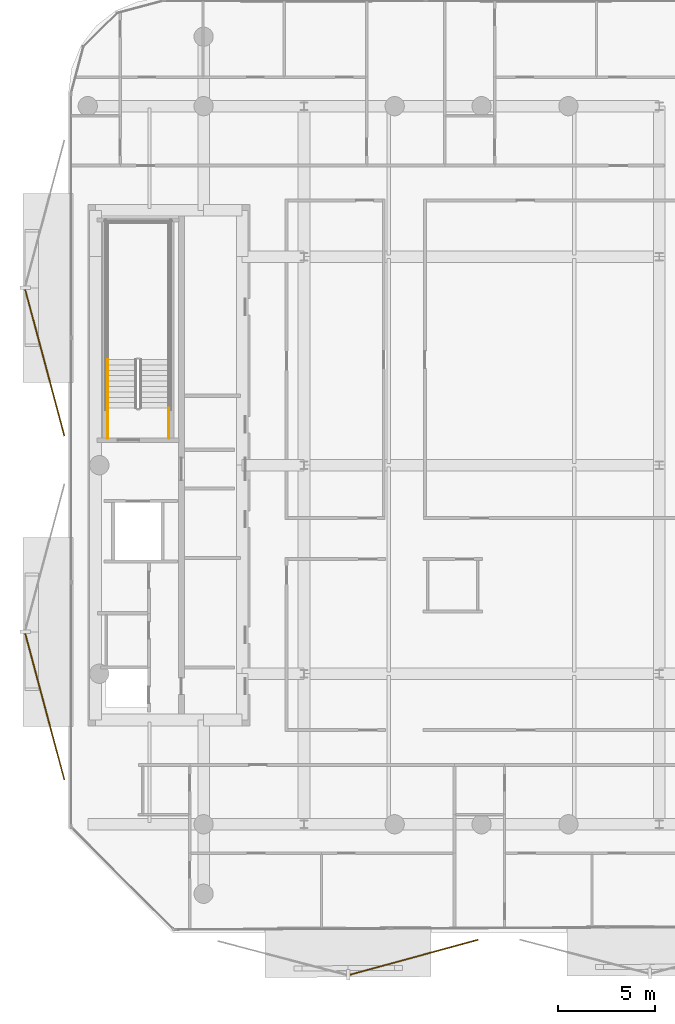
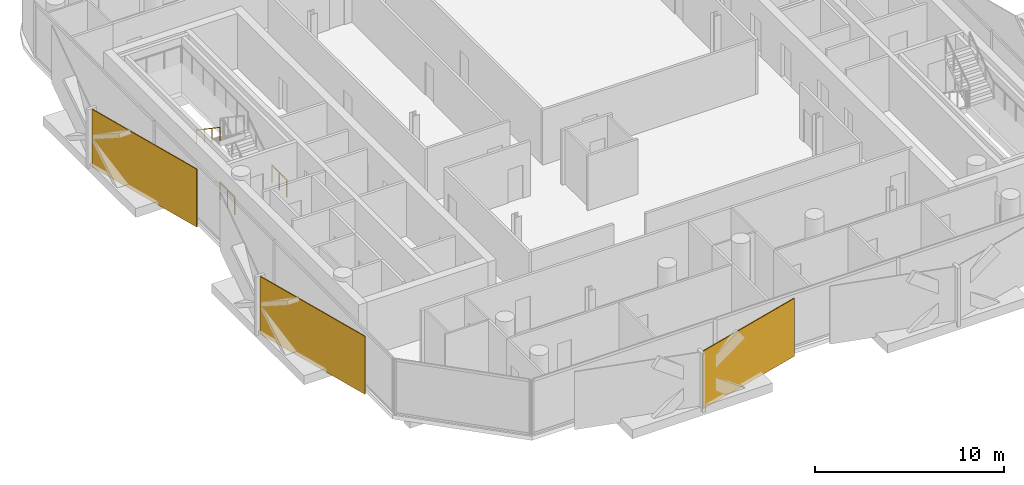
# One storey, part 13 of 16: 3 coverings, 3 railings.
"""IFC4 building model written with IfcOpenShell, lengths in metres."""

import ifcopenshell
import ifcopenshell.guid

model = None  # the IFC model being written
_history = None  # IfcOwnerHistory: only IFC2X3 demands one
_inside = {}  # id of a spatial element -> (the spatial element, [elements in it])
_under = {}  # id of a project, library or spatial element -> (it, [spatial elements below it])
_declared = {}  # id of a project -> (the project, [libraries it declares])
_typed = {}  # id of a type object -> (the type object, [elements of that type])
_made_of = {}  # id of a material, layer set ... -> (it, [elements and type objects made of it])


def new_model(schema):
    """Start an empty IFC model of exactly this schema.

    Asked for "IFC4X3", IfcOpenShell would pick the latest addendum, in which some entities
    have other attributes; the version numbers below select the first issue.
    IFC2X3 requires an IfcOwnerHistory on every rooted entity: one is made here for all.
    """
    global model, _history
    if schema == "IFC4X3":
        model = ifcopenshell.file(schema_version=(4, 3, 0, 0))
    else:
        model = ifcopenshell.file(schema=schema)
    _inside.clear()
    _under.clear()
    _declared.clear()
    _typed.clear()
    _made_of.clear()
    _history = None
    if model.schema == "IFC2X3":
        org = make("IfcOrganization", Name="unknown")
        user = make(
            "IfcPersonAndOrganization",
            ThePerson=make("IfcPerson", FamilyName="unknown"),
            TheOrganization=org,
        )
        app = make(
            "IfcApplication",
            ApplicationDeveloper=org,
            Version="unknown",
            ApplicationFullName="unknown",
            ApplicationIdentifier="unknown",
        )
        _history = make(
            "IfcOwnerHistory",
            OwningUser=user,
            OwningApplication=app,
            ChangeAction="ADDED",
            CreationDate=0,
        )
    return model


def make(cls, **values):
    """One entity of the class cls with the attributes given. An attribute that is None is left unset."""
    return model.create_entity(
        cls, **{name: value for name, value in values.items() if value is not None}
    )


def rooted(cls, **values):
    """An entity with a GlobalId (a new one), such as an element, a storey or a relation."""
    return make(cls, GlobalId=ifcopenshell.guid.new(), OwnerHistory=_history, **values)


def si_unit(unit_type, name, prefix=None):
    """IfcSIUnit, for example si_unit("LENGTHUNIT", "METRE", prefix="MILLI")."""
    return make("IfcSIUnit", UnitType=unit_type, Prefix=prefix, Name=name)


def assignment(units):
    """IfcUnitAssignment: the units of a project."""
    return None if units is None else make("IfcUnitAssignment", Units=units)


def point(xyz):
    """IfcCartesianPoint."""
    return None if xyz is None else make("IfcCartesianPoint", Coordinates=xyz)


def direction(xyz):
    """IfcDirection."""
    return None if xyz is None else make("IfcDirection", DirectionRatios=xyz)


def frame(location, z_axis=None, x_axis=None):
    """IfcAxis2Placement3D, a coordinate frame: its origin and axes. An axis left out is left unset."""
    return make(
        "IfcAxis2Placement3D",
        Location=point(location),
        Axis=direction(z_axis),
        RefDirection=direction(x_axis),
    )


def frame_2d(location, x_axis=None):
    """IfcAxis2Placement2D, a coordinate frame in the plane: its origin and x axis."""
    return make(
        "IfcAxis2Placement2D", Location=point(location), RefDirection=direction(x_axis)
    )


def origin():
    """The frame at (0, 0, 0) with its axes left unset."""
    return frame((0.0, 0.0, 0.0))


def origin_2d():
    """The frame at (0, 0) in the plane with its x axis left unset."""
    return frame_2d((0.0, 0.0))


def place(relative_to, where):
    """IfcLocalPlacement: puts the frame where relative to a parent placement (None: the world)."""
    return make(
        "IfcLocalPlacement", PlacementRelTo=relative_to, RelativePlacement=where
    )


def context(
    kind, dimensions, precision=None, world=None, true_north=None, identifier=None
):
    """IfcGeometricRepresentationContext, for example the 3D "Model" context."""
    return make(
        "IfcGeometricRepresentationContext",
        ContextIdentifier=identifier,
        ContextType=kind,
        CoordinateSpaceDimension=dimensions,
        Precision=precision,
        WorldCoordinateSystem=world,
        TrueNorth=true_north,
    )


def subcontext(parent, identifier, kind, view, scale=None):
    """IfcGeometricRepresentationSubContext, for example "Body" below "Model"."""
    return make(
        "IfcGeometricRepresentationSubContext",
        ContextIdentifier=identifier,
        ContextType=kind,
        ParentContext=parent,
        TargetScale=scale,
        TargetView=view,
    )


def project(units=None, contexts=None):
    """IfcProject with its units and contexts."""
    return rooted(
        "IfcProject",
        Name="project",
        RepresentationContexts=contexts,
        UnitsInContext=assignment(units),
    )


def spatial(cls, under=None, at=None, **own):
    """A site, building, storey or space (cls), placed at a placement, below another one or the project."""
    s = rooted(cls, ObjectPlacement=at, **own)
    if under is not None:
        _under.setdefault(under.id(), (under, []))[1].append(s)
    return s


def profile(cls, at=None, kind="AREA", **sizes):
    """A parametric profile (cls). Its sizes go by their IFC names, for example OverallWidth=200.0."""
    return make(cls, ProfileType=kind, Position=at, **sizes)


def rectangle(**sizes):
    """IfcRectangleProfileDef."""
    return profile("IfcRectangleProfileDef", **sizes)


def circle(**sizes):
    """IfcCircleProfileDef."""
    return profile("IfcCircleProfileDef", **sizes)


def extrude(swept, where, along, depth):
    """IfcExtrudedAreaSolid: the profile swept, set in the frame where, extruded along a direction by depth."""
    return make(
        "IfcExtrudedAreaSolid",
        SweptArea=swept,
        Position=where,
        ExtrudedDirection=direction(along),
        Depth=depth,
    )


def shape(context_of_items, identifier, shape_type, items):
    """IfcShapeRepresentation: the items that make up one representation, for example the "Body"."""
    return make(
        "IfcShapeRepresentation",
        ContextOfItems=context_of_items,
        RepresentationIdentifier=identifier,
        RepresentationType=shape_type,
        Items=items,
    )


def material(Name=None, Category=None):
    """IfcMaterial."""
    return make("IfcMaterial", Name=Name, Category=Category)


def layer(
    of_material, thickness, ventilated=None, Name=None, Category=None, Priority=None
):
    """IfcMaterialLayer: one layer of a wall or slab, of a material (None: an air gap)."""
    return make(
        "IfcMaterialLayer",
        Material=of_material,
        LayerThickness=thickness,
        IsVentilated=ventilated,
        Name=Name,
        Category=Category,
        Priority=Priority,
    )


def layer_set(layers, Name=None):
    """IfcMaterialLayerSet."""
    return make("IfcMaterialLayerSet", MaterialLayers=layers, LayerSetName=Name)


def made_of(thing, what):
    """Note that an element or type object is made of a material, layer set ...; save() writes the relation."""
    if what is not None:
        _made_of.setdefault(what.id(), (what, []))[1].append(thing)
    return thing


def type_object(cls, material=None, **own):
    """A type object (cls), such as IfcWallType, which elements share."""
    return made_of(rooted(cls, **own), material)


def element(
    cls,
    number,
    at=None,
    inside=None,
    cuts=None,
    type_object=None,
    material=None,
    context=None,
    identifier="Body",
    shape_type=None,
    held_by="IfcProductDefinitionShape",
    body=None,
    shapes=None,
    **own,
):
    """One element of the class cls, such as IfcWall. Its Tag is "e" and its number.

    at: its placement. inside: the storey or other place that contains it. cuts: it is an
    opening in that element (IfcRelVoidsElement). A single representation is given by context,
    identifier, shape_type and body (its items); several are given by shapes. held_by: the class
    of the entity that holds the representations. save() writes the other relations.
    """
    e = rooted(cls, Tag="e%d" % number, ObjectPlacement=at, **own)
    if body is not None:
        shapes = [shape(context, identifier, shape_type, body)]
    if shapes is not None:
        e.Representation = make(held_by, Representations=shapes)
    if inside is not None:
        _inside.setdefault(inside.id(), (inside, []))[1].append(e)
    if cuts is not None:
        rooted(
            "IfcRelVoidsElement", RelatingBuildingElement=cuts, RelatedOpeningElement=e
        )
    if type_object is not None:
        _typed.setdefault(type_object.id(), (type_object, []))[1].append(e)
    return made_of(e, material)


def aggregate(whole, parts):
    """IfcRelAggregates: a whole, such as a stair, and the parts it consists of."""
    return rooted("IfcRelAggregates", RelatingObject=whole, RelatedObjects=parts)


def save(model, path):
    """Write the relations noted so far, then the file.

    IfcRelAggregates (storeys below a building ...), IfcRelContainedInSpatialStructure (elements
    in a storey), IfcRelDefinesByType, IfcRelAssociatesMaterial and IfcRelDeclares: one each for
    every whole, place, type object, material and project.
    """
    for whole, parts in _under.values():
        aggregate(whole, parts)
    for where, things in _inside.values():
        rooted(
            "IfcRelContainedInSpatialStructure",
            RelatedElements=things,
            RelatingStructure=where,
        )
    for kind, things in _typed.values():
        rooted("IfcRelDefinesByType", RelatedObjects=things, RelatingType=kind)
    for what, things in _made_of.values():
        rooted("IfcRelAssociatesMaterial", RelatedObjects=things, RelatingMaterial=what)
    for by, libraries in _declared.values():
        rooted("IfcRelDeclares", RelatingContext=by, RelatedDefinitions=libraries)
    model.write(path)


model = new_model("IFC4")

# Units and contexts
model_context = context("Model", 3, precision=1e-05, world=origin(), true_north=direction((0.0, 1.0)))
body_context = subcontext(model_context, "Body", "Model", "MODEL_VIEW")
ifc_project = project(units=[si_unit("LENGTHUNIT", "METRE"), si_unit("AREAUNIT", "SQUARE_METRE"), si_unit("VOLUMEUNIT", "CUBIC_METRE"), si_unit("PLANEANGLEUNIT", "RADIAN"), si_unit("MASSUNIT", "GRAM", prefix="KILO")], contexts=[model_context])

# Site, building, storey
site_placement = place(None, origin())
site = spatial("IfcSite", under=ifc_project, at=site_placement, CompositionType="ELEMENT")
building_placement = place(site_placement, origin())
building = spatial("IfcBuilding", under=site, at=building_placement, Name="Khairoan Windgate Tower", CompositionType="ELEMENT")
storey_placement = place(building_placement, frame((0.0, 0.0, 281.39990234375)))
storey = spatial("IfcBuildingStorey", under=building, at=storey_placement, Name="L67", CompositionType="ELEMENT", Elevation=281.39990234375)

# Coverings
ifc_material_1 = material(Name="Anodised Bronze Aluminium 6063-T6", Category="aluminium")
ifc_layer = layer(ifc_material_1, 0.054931640625, Name="Anodised Bronze Aluminium 6063-T6")
ifc_layer_set = layer_set([ifc_layer], Name="Anodised Bronze Aluminium 6063-T6")
covering_type = type_object("IfcCoveringType", Name="Perforated Bronze-Ceramic Folded Solar Screen Cladding BSC-1", PredefinedType="CLADDING", material=ifc_layer_set)
covering_placement = place(storey_placement, frame((-3.503662109375, -25.4892578125, -0.10009765625), z_axis=(0.0, 0.0, 1.0), x_axis=(-0.964649468762, -0.263536339841, 0.0)))
element("IfcCovering", 1, at=covering_placement, inside=storey, type_object=covering_type, Name="L67 Folded Bronze Solar Screen Facet 463L", PredefinedType="CLADDING", context=body_context, shape_type="SweptSolid", body=[
    extrude(rectangle(XDim=6.8798828125, YDim=0.054931640625, at=origin_2d()), origin(), (0.0, 0.0, 1.0), 3.739990234375),
])
for number, where, z_axis, x_axis, name in (
    (2, (-22.62548828125, -12.509765625, -0.10009765625), (0.0, 0.0, 1.0), (-0.258819045103, 0.965925826289, 0.0), "L67 Folded Bronze Solar Screen Facet 464L"),
    (3, (-22.62548828125, 5.306640625, -0.10009765625), (0.0, 0.0, 1.0), (-0.258819045103, 0.965925826289, 0.0), "L67 Folded Bronze Solar Screen Facet 465L"),
):
    element("IfcCovering", number, at=place(storey_placement, frame(where, z_axis=z_axis, x_axis=x_axis)), inside=storey, type_object=covering_type, Name=name, PredefinedType="CLADDING", context=body_context, shape_type="SweptSolid", body=[
        extrude(rectangle(XDim=7.839111328125, YDim=0.054931640625, at=origin_2d()), origin(), (0.0, 0.0, 1.0), 3.739990234375),
    ])

# Railings
ifc_material_2 = material(Name="Anodised Bronze Aluminium 6063-T6", Category="aluminium")
railing_type_1 = type_object("IfcRailingType", Name="Stair Wall Handrail SHR-900", PredefinedType="HANDRAIL", material=ifc_material_2)
railing_placement = place(storey_placement, frame((-19.3701171875, 5.47998046875, 2.090087890625)))
element("IfcRailing", 4, at=railing_placement, inside=storey, type_object=railing_type_1, Name="L67 ST2 stair handrail 2", PredefinedType="HANDRAIL", context=body_context, shape_type="SweptSolid", body=[
    extrude(circle(Radius=0.02392578125, at=origin_2d()), frame((0.0, 0.0, 0.8759765625), z_axis=(0.0, -0.827483756001, 0.561489655786), x_axis=(1.0, 0.0, 0.0)), (0.0, 0.0, 1.0), 3.04541015625),
    extrude(circle(Radius=0.02099609375, at=origin_2d()), origin(), (0.0, 0.0, 1.0), 0.851806640625),
    extrude(circle(Radius=0.02099609375, at=origin_2d()), frame((0.0, -0.840087890625, 0.570068359375)), (0.0, 0.0, 1.0), 0.851806640625),
    extrude(circle(Radius=0.02099609375, at=origin_2d()), frame((0.0, -1.679931640625, 1.139892578125)), (0.0, 0.0, 1.0), 0.851806640625),
    extrude(circle(Radius=0.02099609375, at=origin_2d()), frame((0.0, -2.52001953125, 1.7099609375)), (0.0, 0.0, 1.0), 0.851806640625),
])
ifc_material_3 = material(Name="Steel S355", Category="steel")
railing_type_2 = type_object("IfcRailingType", Name="Stairwell Safety Guardrail SGR-1150", PredefinedType="GUARDRAIL", material=ifc_material_3)
for number, where, name in (
    (5, (-16.199951171875, 1.39990234375, 0.0), "L67 ST2 stair guard 8"),
    (6, (-19.3701171875, 1.39990234375, 0.0), "L67 ST2 stair guard 9"),
):
    element("IfcRailing", number, at=place(storey_placement, frame(where)), inside=storey, type_object=railing_type_2, Name=name, PredefinedType="GUARDRAIL", context=body_context, shape_type="SweptSolid", body=[
        extrude(circle(Radius=0.02392578125, at=origin_2d()), frame((0.0, 0.0, 1.1259765625), z_axis=(0.0, 1.0, 0.0), x_axis=(-1.0, 0.0, 0.0)), (0.0, 0.0, 1.0), 1.56005859375),
        extrude(circle(Radius=0.02099609375, at=origin_2d()), origin(), (0.0, 0.0, 1.0), 1.101806640625),
        extrude(circle(Radius=0.02099609375, at=origin_2d()), frame((0.0, 0.780029296875, 0.0)), (0.0, 0.0, 1.0), 1.101806640625),
        extrude(circle(Radius=0.02099609375, at=origin_2d()), frame((0.0, 1.56005859375, 0.0)), (0.0, 0.0, 1.0), 1.101806640625),
    ])

save(model, "model.ifc")
